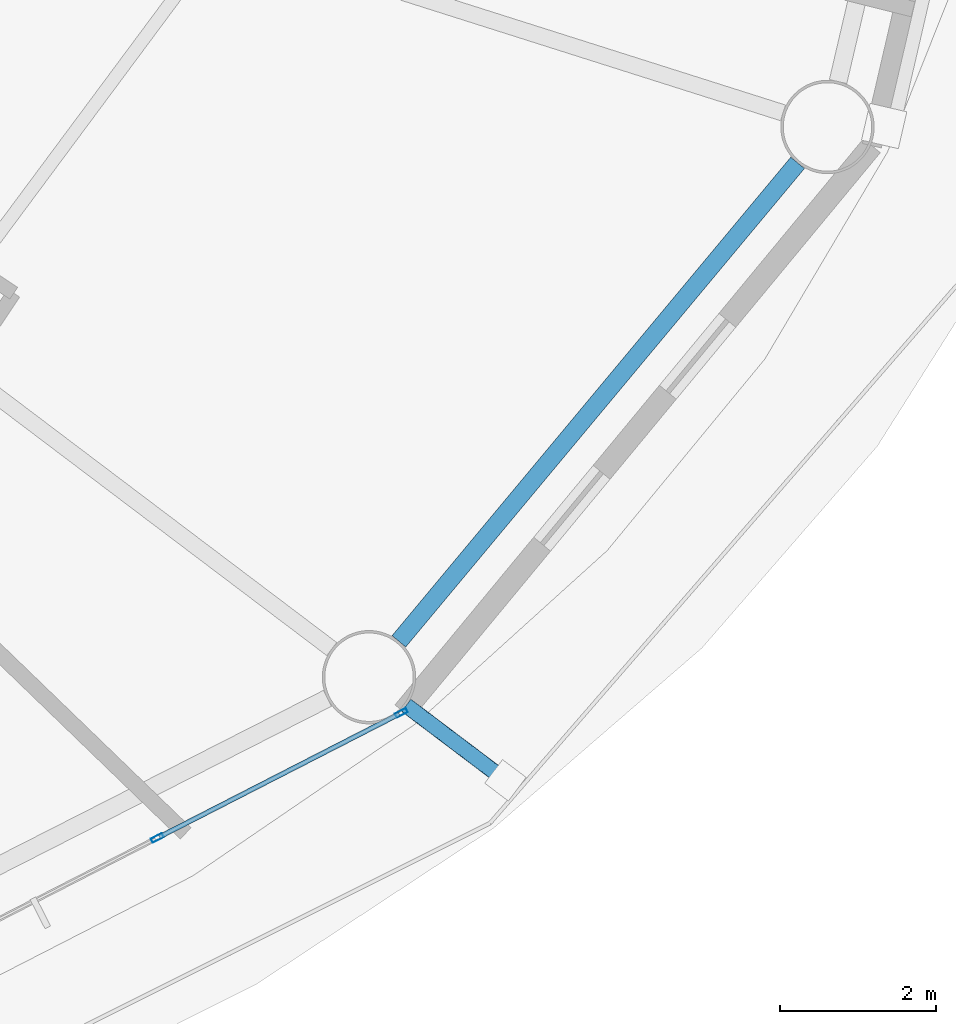
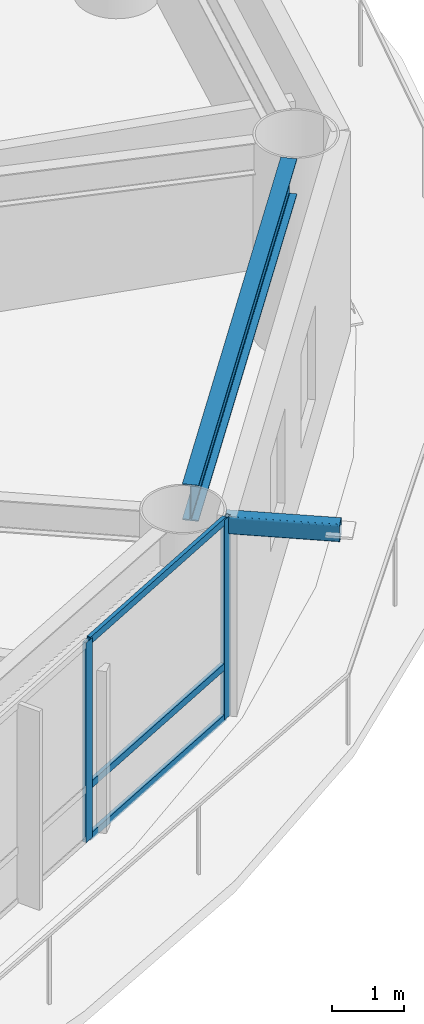
# One storey, part 6 of 24: 6 members, 1 beam, 1 element without a shape of its own.
"""IFC4 building model written with IfcOpenShell, lengths in metres."""

import ifcopenshell
import ifcopenshell.guid

model = None  # the IFC model being written
_history = None  # IfcOwnerHistory: only IFC2X3 demands one
_inside = {}  # id of a spatial element -> (the spatial element, [elements in it])
_under = {}  # id of a project, library or spatial element -> (it, [spatial elements below it])
_declared = {}  # id of a project -> (the project, [libraries it declares])
_typed = {}  # id of a type object -> (the type object, [elements of that type])
_made_of = {}  # id of a material, layer set ... -> (it, [elements and type objects made of it])


def new_model(schema):
    """Start an empty IFC model of exactly this schema.

    Asked for "IFC4X3", IfcOpenShell would pick the latest addendum, in which some entities
    have other attributes; the version numbers below select the first issue.
    IFC2X3 requires an IfcOwnerHistory on every rooted entity: one is made here for all.
    """
    global model, _history
    if schema == "IFC4X3":
        model = ifcopenshell.file(schema_version=(4, 3, 0, 0))
    else:
        model = ifcopenshell.file(schema=schema)
    _inside.clear()
    _under.clear()
    _declared.clear()
    _typed.clear()
    _made_of.clear()
    _history = None
    if model.schema == "IFC2X3":
        org = make("IfcOrganization", Name="unknown")
        user = make(
            "IfcPersonAndOrganization",
            ThePerson=make("IfcPerson", FamilyName="unknown"),
            TheOrganization=org,
        )
        app = make(
            "IfcApplication",
            ApplicationDeveloper=org,
            Version="unknown",
            ApplicationFullName="unknown",
            ApplicationIdentifier="unknown",
        )
        _history = make(
            "IfcOwnerHistory",
            OwningUser=user,
            OwningApplication=app,
            ChangeAction="ADDED",
            CreationDate=0,
        )
    return model


def make(cls, **values):
    """One entity of the class cls with the attributes given. An attribute that is None is left unset."""
    return model.create_entity(
        cls, **{name: value for name, value in values.items() if value is not None}
    )


def rooted(cls, **values):
    """An entity with a GlobalId (a new one), such as an element, a storey or a relation."""
    return make(cls, GlobalId=ifcopenshell.guid.new(), OwnerHistory=_history, **values)


def si_unit(unit_type, name, prefix=None):
    """IfcSIUnit, for example si_unit("LENGTHUNIT", "METRE", prefix="MILLI")."""
    return make("IfcSIUnit", UnitType=unit_type, Prefix=prefix, Name=name)


def assignment(units):
    """IfcUnitAssignment: the units of a project."""
    return None if units is None else make("IfcUnitAssignment", Units=units)


def point(xyz):
    """IfcCartesianPoint."""
    return None if xyz is None else make("IfcCartesianPoint", Coordinates=xyz)


def direction(xyz):
    """IfcDirection."""
    return None if xyz is None else make("IfcDirection", DirectionRatios=xyz)


def frame(location, z_axis=None, x_axis=None):
    """IfcAxis2Placement3D, a coordinate frame: its origin and axes. An axis left out is left unset."""
    return make(
        "IfcAxis2Placement3D",
        Location=point(location),
        Axis=direction(z_axis),
        RefDirection=direction(x_axis),
    )


def frame_2d(location, x_axis=None):
    """IfcAxis2Placement2D, a coordinate frame in the plane: its origin and x axis."""
    return make(
        "IfcAxis2Placement2D", Location=point(location), RefDirection=direction(x_axis)
    )


def origin():
    """The frame at (0, 0, 0) with its axes left unset."""
    return frame((0.0, 0.0, 0.0))


def origin_2d():
    """The frame at (0, 0) in the plane with its x axis left unset."""
    return frame_2d((0.0, 0.0))


def place(relative_to, where):
    """IfcLocalPlacement: puts the frame where relative to a parent placement (None: the world)."""
    return make(
        "IfcLocalPlacement", PlacementRelTo=relative_to, RelativePlacement=where
    )


def context(
    kind, dimensions, precision=None, world=None, true_north=None, identifier=None
):
    """IfcGeometricRepresentationContext, for example the 3D "Model" context."""
    return make(
        "IfcGeometricRepresentationContext",
        ContextIdentifier=identifier,
        ContextType=kind,
        CoordinateSpaceDimension=dimensions,
        Precision=precision,
        WorldCoordinateSystem=world,
        TrueNorth=true_north,
    )


def subcontext(parent, identifier, kind, view, scale=None):
    """IfcGeometricRepresentationSubContext, for example "Body" below "Model"."""
    return make(
        "IfcGeometricRepresentationSubContext",
        ContextIdentifier=identifier,
        ContextType=kind,
        ParentContext=parent,
        TargetScale=scale,
        TargetView=view,
    )


def project(units=None, contexts=None):
    """IfcProject with its units and contexts."""
    return rooted(
        "IfcProject",
        Name="project",
        RepresentationContexts=contexts,
        UnitsInContext=assignment(units),
    )


def spatial(cls, under=None, at=None, **own):
    """A site, building, storey or space (cls), placed at a placement, below another one or the project."""
    s = rooted(cls, ObjectPlacement=at, **own)
    if under is not None:
        _under.setdefault(under.id(), (under, []))[1].append(s)
    return s


def profile(cls, at=None, kind="AREA", **sizes):
    """A parametric profile (cls). Its sizes go by their IFC names, for example OverallWidth=200.0."""
    return make(cls, ProfileType=kind, Position=at, **sizes)


def hollow_rectangle(**sizes):
    """IfcRectangleHollowProfileDef."""
    return profile("IfcRectangleHollowProfileDef", **sizes)


def i_section(**sizes):
    """IfcIShapeProfileDef."""
    return profile("IfcIShapeProfileDef", **sizes)


def extrude(swept, where, along, depth):
    """IfcExtrudedAreaSolid: the profile swept, set in the frame where, extruded along a direction by depth."""
    return make(
        "IfcExtrudedAreaSolid",
        SweptArea=swept,
        Position=where,
        ExtrudedDirection=direction(along),
        Depth=depth,
    )


def shape(context_of_items, identifier, shape_type, items):
    """IfcShapeRepresentation: the items that make up one representation, for example the "Body"."""
    return make(
        "IfcShapeRepresentation",
        ContextOfItems=context_of_items,
        RepresentationIdentifier=identifier,
        RepresentationType=shape_type,
        Items=items,
    )


def material(Name=None, Category=None):
    """IfcMaterial."""
    return make("IfcMaterial", Name=Name, Category=Category)


def layer(
    of_material, thickness, ventilated=None, Name=None, Category=None, Priority=None
):
    """IfcMaterialLayer: one layer of a wall or slab, of a material (None: an air gap)."""
    return make(
        "IfcMaterialLayer",
        Material=of_material,
        LayerThickness=thickness,
        IsVentilated=ventilated,
        Name=Name,
        Category=Category,
        Priority=Priority,
    )


def layer_set(layers, Name=None):
    """IfcMaterialLayerSet."""
    return make("IfcMaterialLayerSet", MaterialLayers=layers, LayerSetName=Name)


def material_profile(
    of_material, cross_section, Name=None, Category=None, Priority=None
):
    """IfcMaterialProfile: a cross section and its material."""
    return make(
        "IfcMaterialProfile",
        Name=Name,
        Material=of_material,
        Profile=cross_section,
        Priority=Priority,
        Category=Category,
    )


def profile_set(profiles, Name=None, composite=None):
    """IfcMaterialProfileSet."""
    return make(
        "IfcMaterialProfileSet",
        Name=Name,
        MaterialProfiles=profiles,
        CompositeProfile=composite,
    )


def made_of(thing, what):
    """Note that an element or type object is made of a material, layer set ...; save() writes the relation."""
    if what is not None:
        _made_of.setdefault(what.id(), (what, []))[1].append(thing)
    return thing


def type_object(cls, material=None, **own):
    """A type object (cls), such as IfcWallType, which elements share."""
    return made_of(rooted(cls, **own), material)


def element(
    cls,
    number,
    at=None,
    inside=None,
    cuts=None,
    type_object=None,
    material=None,
    context=None,
    identifier="Body",
    shape_type=None,
    held_by="IfcProductDefinitionShape",
    body=None,
    shapes=None,
    **own,
):
    """One element of the class cls, such as IfcWall. Its Tag is "e" and its number.

    at: its placement. inside: the storey or other place that contains it. cuts: it is an
    opening in that element (IfcRelVoidsElement). A single representation is given by context,
    identifier, shape_type and body (its items); several are given by shapes. held_by: the class
    of the entity that holds the representations. save() writes the other relations.
    """
    e = rooted(cls, Tag="e%d" % number, ObjectPlacement=at, **own)
    if body is not None:
        shapes = [shape(context, identifier, shape_type, body)]
    if shapes is not None:
        e.Representation = make(held_by, Representations=shapes)
    if inside is not None:
        _inside.setdefault(inside.id(), (inside, []))[1].append(e)
    if cuts is not None:
        rooted(
            "IfcRelVoidsElement", RelatingBuildingElement=cuts, RelatedOpeningElement=e
        )
    if type_object is not None:
        _typed.setdefault(type_object.id(), (type_object, []))[1].append(e)
    return made_of(e, material)


def aggregate(whole, parts):
    """IfcRelAggregates: a whole, such as a stair, and the parts it consists of."""
    return rooted("IfcRelAggregates", RelatingObject=whole, RelatedObjects=parts)


def save(model, path):
    """Write the relations noted so far, then the file.

    IfcRelAggregates (storeys below a building ...), IfcRelContainedInSpatialStructure (elements
    in a storey), IfcRelDefinesByType, IfcRelAssociatesMaterial and IfcRelDeclares: one each for
    every whole, place, type object, material and project.
    """
    for whole, parts in _under.values():
        aggregate(whole, parts)
    for where, things in _inside.values():
        rooted(
            "IfcRelContainedInSpatialStructure",
            RelatedElements=things,
            RelatingStructure=where,
        )
    for kind, things in _typed.values():
        rooted("IfcRelDefinesByType", RelatedObjects=things, RelatingType=kind)
    for what, things in _made_of.values():
        rooted("IfcRelAssociatesMaterial", RelatedObjects=things, RelatingMaterial=what)
    for by, libraries in _declared.values():
        rooted("IfcRelDeclares", RelatingContext=by, RelatedDefinitions=libraries)
    model.write(path)


model = new_model("IFC4")

# Units and contexts
model_context = context("Model", 3, precision=1e-05, world=origin(), true_north=direction((0.0, 1.0)))
body_context = subcontext(model_context, "Body", "Model", "MODEL_VIEW")
ifc_project = project(units=[si_unit("LENGTHUNIT", "METRE"), si_unit("AREAUNIT", "SQUARE_METRE"), si_unit("VOLUMEUNIT", "CUBIC_METRE"), si_unit("PLANEANGLEUNIT", "RADIAN"), si_unit("MASSUNIT", "GRAM", prefix="KILO")], contexts=[model_context])

# Site, building, storey
site_placement = place(None, origin())
site = spatial("IfcSite", under=ifc_project, at=site_placement, CompositionType="ELEMENT")
building_placement = place(site_placement, origin())
building = spatial("IfcBuilding", under=site, at=building_placement, Name="Sarneth Arch Tower", CompositionType="ELEMENT")
storey_placement = place(building_placement, frame((0.0, 0.0, 98.39990234375)))
storey = spatial("IfcBuildingStorey", under=building, at=storey_placement, Name="L24", CompositionType="ELEMENT", Elevation=98.39990234375)

# Beam
ifc_material_1 = material(Name="Steel S355", Category="steel")
ifc_material_profile_1 = material_profile(ifc_material_1, i_section(OverallWidth=0.22900390625, OverallDepth=0.612060546875, WebThickness=0.011962890625, FlangeThickness=0.01953125, FilletRadius=0.01904296875, at=origin_2d()), Name="W610x125")
ifc_profile_set_1 = profile_set([ifc_material_profile_1], Name="Steel S355")
beam_type = type_object("IfcBeamType", Name="BM-SPAN-610C", PredefinedType="SPANDREL", material=ifc_profile_set_1)
beam_placement = place(storey_placement, frame((68.78173828125, 27.0458984375, 3.07421875), z_axis=(0.640163403463, 0.768238775946, 0.0), x_axis=(-0.768238775946, 0.640163403463, 0.0)))
element("IfcBeam", 1, at=beam_placement, inside=storey, type_object=beam_type, Name="L24 Perimeter spandrel beam 15", PredefinedType="SPANDREL", context=body_context, shape_type="SweptSolid", body=[
    extrude(i_section(OverallWidth=0.22900390625, OverallDepth=0.612060546875, WebThickness=0.011962890625, FlangeThickness=0.01953125, FilletRadius=0.01904296875, at=origin_2d()), origin(), (0.0, 0.0, 1.0), 8.006103515625),
])

# Curtain wall, members
ifc_material_2 = material(Name="Anodised aluminium Type AA25 and solar-control low-e laminated IGU", Category="aluminium")
ifc_layer = layer(ifc_material_2, 0.159912109375)
ifc_layer_set = layer_set([ifc_layer], Name="Anodised aluminium Type AA25 and solar-control low-e laminated IGU")
curtain_wall_type = type_object("IfcCurtainWallType", Name="CW-HOTEL-MID", PredefinedType="NOTDEFINED", material=ifc_layer_set)
curtain_wall_placement = place(storey_placement, origin())
curtain_wall = element("IfcCurtainWall", 2, at=curtain_wall_placement, inside=storey, type_object=curtain_wall_type, Name="L24 Unitised curtain wall facet 14", PredefinedType="NOTDEFINED")
ifc_material_3 = material(Name="Anodised Aluminium 6063-T6", Category="aluminium")
ifc_material_profile_2 = material_profile(ifc_material_3, hollow_rectangle(XDim=0.06005859375, YDim=0.159912109375, WallThickness=0.00390625, at=origin_2d()), Name="AL-MULL-160x60x4")
ifc_profile_set_2 = profile_set([ifc_material_profile_2], Name="Anodised Aluminium 6063-T6")
member_type_1 = type_object("IfcMemberType", Name="CW-MULLION", PredefinedType="MULLION", material=ifc_profile_set_2)
member_1_placement = place(storey_placement, frame((65.677001953125, 24.518798828125, 0.0), z_axis=(0.0, 0.0, 1.0), x_axis=(-0.456031365356, 0.889963703649, 0.0)))
member_1 = element("IfcMember", 3, at=member_1_placement, type_object=member_type_1, Name="CW-SYS-4 mullion 3", PredefinedType="MULLION", context=body_context, shape_type="SweptSolid", body=[
    extrude(hollow_rectangle(XDim=0.06005859375, YDim=0.159912109375, WallThickness=0.00390625, at=origin_2d()), origin(), (0.0, 0.0, 1.0), 3.380126953125),
])
member_2_placement = place(storey_placement, frame((68.813232421875, 26.1259765625, 0.0), z_axis=(0.0, 0.0, 1.0), x_axis=(-0.456031365356, 0.889963703649, 0.0)))
member_2 = element("IfcMember", 4, at=member_2_placement, type_object=member_type_1, Name="CW-SYS-4 mullion 4", PredefinedType="MULLION", context=body_context, shape_type="SweptSolid", body=[
    extrude(hollow_rectangle(XDim=0.06005859375, YDim=0.159912109375, WallThickness=0.00390625, at=origin_2d()), origin(), (0.0, 0.0, 1.0), 3.380126953125),
])
ifc_material_4 = material(Name="Anodised Aluminium 6063-T6", Category="aluminium")
ifc_material_profile_3 = material_profile(ifc_material_4, hollow_rectangle(XDim=0.06005859375, YDim=0.1201171875, WallThickness=0.00390625, at=origin_2d()), Name="AL-TRAN-120x60x4")
ifc_profile_set_3 = profile_set([ifc_material_profile_3], Name="Anodised Aluminium 6063-T6")
member_type_2 = type_object("IfcMemberType", Name="CW-TRANSOM", PredefinedType="USERDEFINED", material=ifc_profile_set_3)
member_3_placement = place(storey_placement, frame((65.703857421875, 24.532470703125, 0.030029296875), z_axis=(0.889942905184, 0.456071952122, 0.0), x_axis=(-0.456071952122, 0.889942905184, 0.0)))
member_3 = element("IfcMember", 5, at=member_3_placement, type_object=member_type_2, Name="CW-SYS-4 transom 3.1", ObjectType="TRANSOM", PredefinedType="USERDEFINED", context=body_context, shape_type="SweptSolid", body=[
    extrude(hollow_rectangle(XDim=0.06005859375, YDim=0.1201171875, WallThickness=0.00390625, at=origin_2d()), origin(), (0.0, 0.0, 1.0), 3.464111328125),
])
member_4_placement = place(storey_placement, frame((65.703857421875, 24.532470703125, 0.900146484375), z_axis=(0.889942905184, 0.456071952122, 0.0), x_axis=(-0.456071952122, 0.889942905184, 0.0)))
member_4 = element("IfcMember", 6, at=member_4_placement, type_object=member_type_2, Name="CW-SYS-4 transom 3.2", ObjectType="TRANSOM", PredefinedType="USERDEFINED", context=body_context, shape_type="SweptSolid", body=[
    extrude(hollow_rectangle(XDim=0.06005859375, YDim=0.1201171875, WallThickness=0.00390625, at=origin_2d()), origin(), (0.0, 0.0, 1.0), 3.464111328125),
])
member_5_placement = place(storey_placement, frame((65.703857421875, 24.532470703125, 3.35009765625), z_axis=(0.889942905184, 0.456071952122, 0.0), x_axis=(-0.456071952122, 0.889942905184, 0.0)))
member_5 = element("IfcMember", 7, at=member_5_placement, type_object=member_type_2, Name="CW-SYS-4 transom 3.3", ObjectType="TRANSOM", PredefinedType="USERDEFINED", context=body_context, shape_type="SweptSolid", body=[
    extrude(hollow_rectangle(XDim=0.06005859375, YDim=0.1201171875, WallThickness=0.00390625, at=origin_2d()), origin(), (0.0, 0.0, 1.0), 3.464111328125),
])
aggregate(curtain_wall, [member_1, member_2, member_3, member_4, member_5])

# Member
ifc_material_5 = material(Name="Steel S355", Category="steel")
ifc_material_profile_4 = material_profile(ifc_material_5, hollow_rectangle(XDim=0.199951171875, YDim=0.300048828125, WallThickness=0.012451171875, InnerFilletRadius=0.018798828125, OuterFilletRadius=0.03125, at=origin_2d()), Name="RHS300x200x12.5")
ifc_profile_set_4 = profile_set([ifc_material_profile_4], Name="Steel S355")
member_type_3 = type_object("IfcMemberType", Name="MEM-CANT-STRUT", PredefinedType="STRUT", material=ifc_profile_set_4)
member_6_placement = place(storey_placement, frame((68.876220703125, 26.223388671875, 3.22021484375), z_axis=(0.797813442854, -0.602904395739, 0.0), x_axis=(0.602904395739, 0.797813442854, 0.0)))
element("IfcMember", 8, at=member_6_placement, inside=storey, type_object=member_type_3, Name="L24 Balcony cantilever bracket 15", PredefinedType="STRUT", context=body_context, shape_type="SweptSolid", body=[
    extrude(hollow_rectangle(XDim=0.199951171875, YDim=0.300048828125, WallThickness=0.012451171875, InnerFilletRadius=0.018798828125, OuterFilletRadius=0.03125, at=origin_2d()), origin(), (0.0, 0.0, 1.0), 1.598388671875),
])

save(model, "model.ifc")
